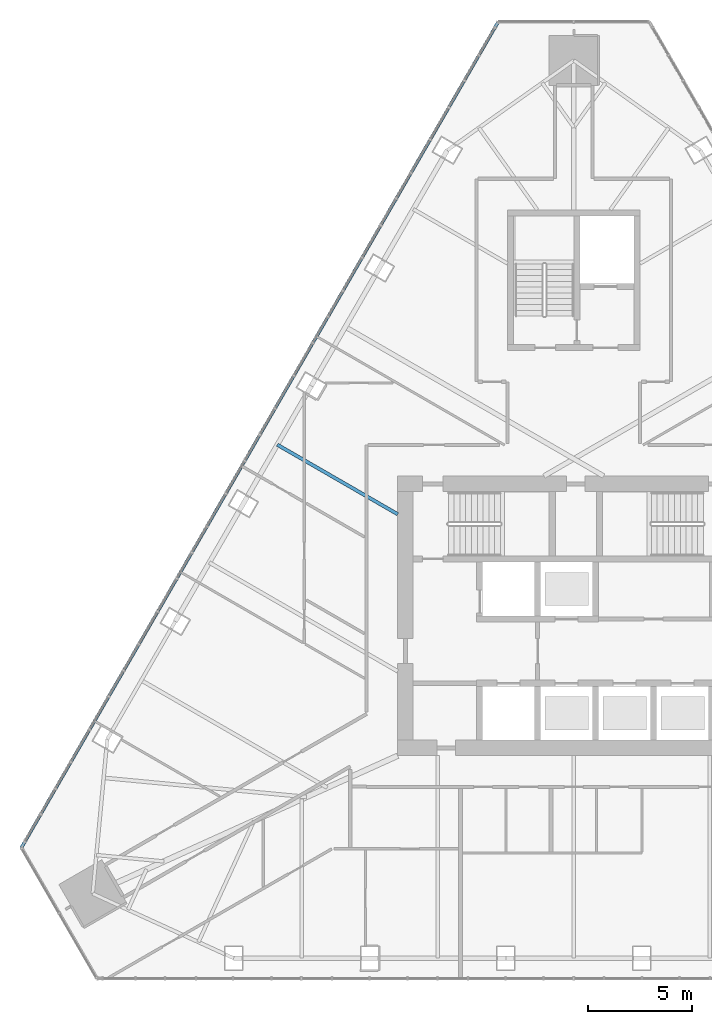
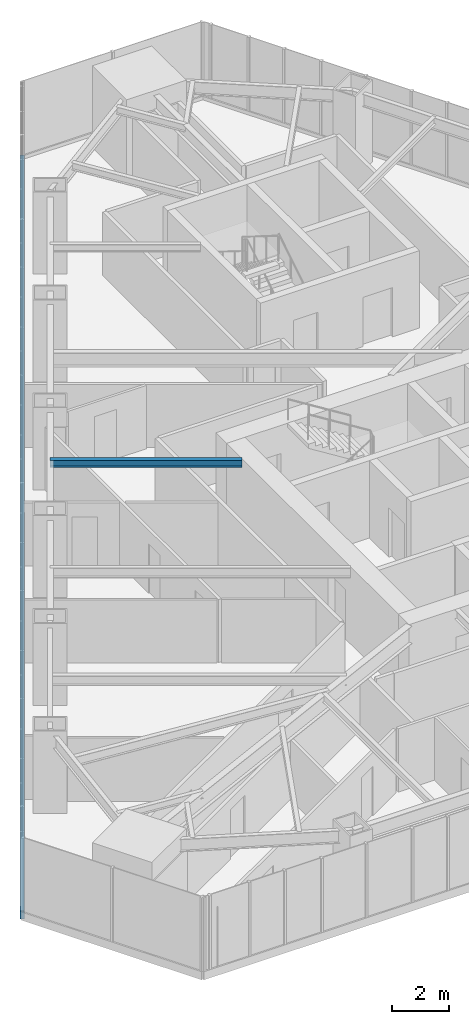
# One storey, part 6 of 21: 1 beam, 1 member, 1 element without a shape of its own.
"""IFC4 building model written with IfcOpenShell, lengths in metres."""

from ifc_helpers import new_model, si_unit, direction, frame, origin, origin_2d, place, context, subcontext, project, spatial, rectangle, i_section, extrude, material, layer, layer_set, material_profile, profile_set, type_object, element, aggregate, save


model = new_model("IFC4")

# Units and contexts
model_context = context("Model", 3, precision=1e-05, world=origin(), true_north=direction((0.0, 1.0)))
body_context = subcontext(model_context, "Body", "Model", "MODEL_VIEW")
ifc_project = project(units=[si_unit("LENGTHUNIT", "METRE"), si_unit("AREAUNIT", "SQUARE_METRE"), si_unit("VOLUMEUNIT", "CUBIC_METRE"), si_unit("PLANEANGLEUNIT", "RADIAN"), si_unit("MASSUNIT", "GRAM", prefix="KILO")], contexts=[model_context])

# Site, building, storey
site_placement = place(None, origin())
site = spatial("IfcSite", under=ifc_project, at=site_placement, CompositionType="ELEMENT")
building_placement = place(site_placement, origin())
building = spatial("IfcBuilding", under=site, at=building_placement, Name="Firuza Gate Tower and Library", CompositionType="ELEMENT")
storey_placement = place(building_placement, frame((0.0, 0.0, 274.10009765625)))
storey = spatial("IfcBuildingStorey", under=building, at=storey_placement, Name="L65", CompositionType="ELEMENT", Elevation=274.10009765625)

# Curtain wall, member
ifc_material_1 = material(Name="Aluminium 6063-T6", Category="aluminium")
ifc_layer = layer(ifc_material_1, 0.14990234375)
ifc_layer_set = layer_set([ifc_layer], Name="Unitised curtain wall, residences")
curtain_wall_type = type_object("IfcCurtainWallType", Name="Unitised curtain wall, residences", PredefinedType="NOTDEFINED", material=ifc_layer_set)
curtain_wall_placement = place(storey_placement, origin())
curtain_wall = element("IfcCurtainWall", 1, at=curtain_wall_placement, inside=storey, type_object=curtain_wall_type, Name="CW3 L65 W face", PredefinedType="NOTDEFINED")
ifc_material_2 = material(Name="Aluminium 6063-T6", Category="aluminium")
ifc_material_profile_1 = material_profile(ifc_material_2, rectangle(XDim=0.14990234375, YDim=0.35009765625, at=origin_2d()))
ifc_profile_set_1 = profile_set([ifc_material_profile_1], Name="Aluminium 6063-T6")
member_type = type_object("IfcMemberType", Name="Curtain wall transom 350x150", PredefinedType="USERDEFINED", material=ifc_profile_set_1)
member_placement = place(storey_placement, frame((71.356689453125, 103.68701171875, -0.025146484375), z_axis=(-0.499999832513, -0.866025500483, 0.0), x_axis=(0.866025500483, -0.499999832513, 0.0)))
member = element("IfcMember", 2, at=member_placement, type_object=member_type, Name="Transom", ObjectType="TRANSOM", PredefinedType="USERDEFINED", context=body_context, shape_type="SweptSolid", body=[
    extrude(rectangle(XDim=0.14990234375, YDim=0.35009765625, at=origin_2d()), origin(), (0.0, 0.0, 1.0), 46.0439453125),
])
aggregate(curtain_wall, [member])

# Beam
ifc_material_3 = material(Name="Steel S355", Category="steel")
ifc_material_profile_2 = material_profile(ifc_material_3, i_section(OverallWidth=0.1650390625, OverallDepth=0.31005859375, WebThickness=0.005859375, FlangeThickness=0.009765625, at=origin_2d()))
ifc_profile_set_2 = profile_set([ifc_material_profile_2], Name="Steel S355")
beam_type = type_object("IfcBeamType", Name="W310x39 Floor beam", PredefinedType="JOIST", material=ifc_profile_set_2)
beam_placement = place(storey_placement, frame((60.690185546875, 83.26171875, 3.14501953125), z_axis=(0.866028624078, -0.499994422247, 0.0), x_axis=(0.499994422247, 0.866028624078, 0.0)))
element("IfcBeam", 3, at=beam_placement, inside=storey, type_object=beam_type, Name="Floor beam L65 s82", PredefinedType="JOIST", context=body_context, shape_type="SweptSolid", body=[
    extrude(i_section(OverallWidth=0.1650390625, OverallDepth=0.31005859375, WebThickness=0.005859375, FlangeThickness=0.009765625, at=origin_2d()), origin(), (0.0, 0.0, 1.0), 6.70849609375),
])

save(model, "model.ifc")
